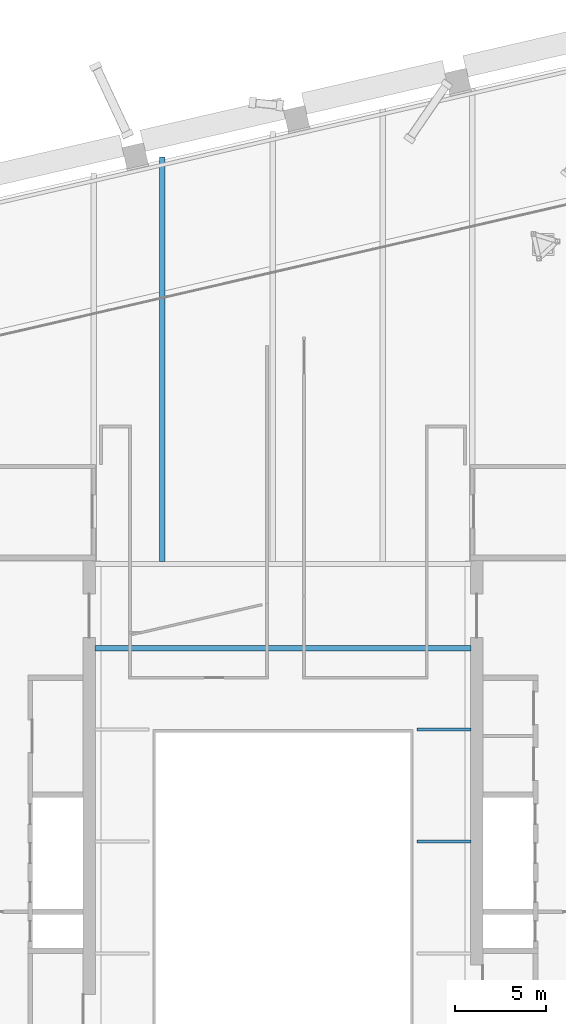
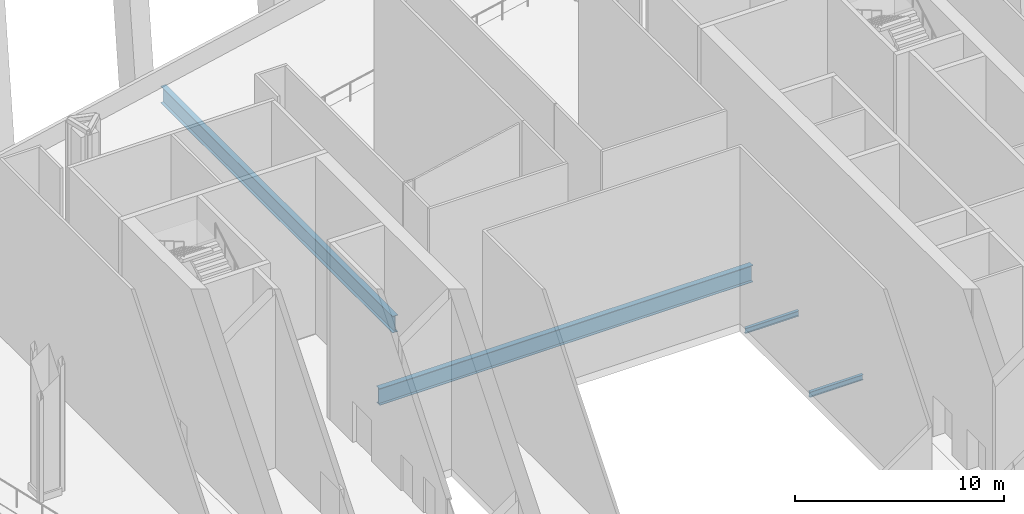
# One storey, part 8 of 25: 4 beams.
"""IFC4 building model written with IfcOpenShell, lengths in metres."""

from ifc_helpers import new_model, si_unit, direction, frame, origin, origin_2d, place, context, subcontext, project, spatial, i_section, extrude, material, material_profile, profile_set, type_object, element, save


model = new_model("IFC4")

# Units and contexts
model_context = context("Model", 3, precision=1e-05, world=origin(), true_north=direction((0.0, 1.0)))
body_context = subcontext(model_context, "Body", "Model", "MODEL_VIEW")
ifc_project = project(units=[si_unit("LENGTHUNIT", "METRE"), si_unit("AREAUNIT", "SQUARE_METRE"), si_unit("VOLUMEUNIT", "CUBIC_METRE"), si_unit("PLANEANGLEUNIT", "RADIAN"), si_unit("MASSUNIT", "GRAM", prefix="KILO")], contexts=[model_context])

# Site, building, storey
site_placement = place(None, origin())
site = spatial("IfcSite", under=ifc_project, at=site_placement, CompositionType="ELEMENT")
building_placement = place(site_placement, origin())
building = spatial("IfcBuilding", under=site, at=building_placement, Name="Ogive Exchange Tower", CompositionType="ELEMENT")
storey_placement = place(building_placement, frame((0.0, 0.0, 226.199951171875)))
storey = spatial("IfcBuildingStorey", under=building, at=storey_placement, Name="L50", CompositionType="ELEMENT", Elevation=226.199951171875)

# Beams
ifc_material = material(Name="Steel ASTM A992 Gr50", Category="steel")
ifc_material_profile_1 = material_profile(ifc_material, i_section(OverallWidth=0.300048828125, OverallDepth=0.97998046875, WebThickness=0.0166015625, FlangeThickness=0.026123046875, at=origin_2d()), Name="W1000x249")
ifc_profile_set_1 = profile_set([ifc_material_profile_1], Name="Steel ASTM A992 Gr50")
beam_type_1 = type_object("IfcBeamType", Name="Floor beam W1000x249", PredefinedType="JOIST", material=ifc_profile_set_1)
beam_1_placement = place(storey_placement, frame((-10.320068359375, 20.62255859375, -0.93994140625), z_axis=(1.0, 0.0, 0.0), x_axis=(0.0, 1.0, 0.0)))
element("IfcBeam", 1, at=beam_1_placement, inside=storey, type_object=beam_type_1, Name="Floor beam", PredefinedType="JOIST", context=body_context, shape_type="SweptSolid", body=[
    extrude(i_section(OverallWidth=0.300048828125, OverallDepth=0.97998046875, WebThickness=0.0166015625, FlangeThickness=0.026123046875, at=origin_2d()), origin(), (0.0, 0.0, 1.0), 20.64013671875),
])
beam_2_placement = place(storey_placement, frame((-6.619873046875, 25.39501953125, -0.93994140625), z_axis=(0.0, 1.0, 0.0), x_axis=(-1.0, 0.0, 0.0)))
element("IfcBeam", 2, at=beam_2_placement, inside=storey, type_object=beam_type_1, Name="Floor beam", PredefinedType="JOIST", context=body_context, shape_type="SweptSolid", body=[
    extrude(i_section(OverallWidth=0.300048828125, OverallDepth=0.97998046875, WebThickness=0.0166015625, FlangeThickness=0.026123046875, at=origin_2d()), origin(), (0.0, 0.0, 1.0), 22.2041015625),
])
ifc_material_profile_2 = material_profile(ifc_material, i_section(OverallWidth=0.1650390625, OverallDepth=0.31005859375, WebThickness=0.005859375, FlangeThickness=0.009765625, at=origin_2d()), Name="W310x38.7")
ifc_profile_set_2 = profile_set([ifc_material_profile_2], Name="Steel ASTM A992 Gr50")
beam_type_2 = type_object("IfcBeamType", Name="Floor beam W310x38.7", PredefinedType="JOIST", material=ifc_profile_set_2)
beam_3_placement = place(storey_placement, frame((7.3701171875, 10.006591796875, -0.60498046875), z_axis=(1.0, 0.0, 0.0), x_axis=(0.0, 1.0, 0.0)))
element("IfcBeam", 3, at=beam_3_placement, inside=storey, type_object=beam_type_2, Name="Floor beam", PredefinedType="JOIST", context=body_context, shape_type="SweptSolid", body=[
    extrude(i_section(OverallWidth=0.1650390625, OverallDepth=0.31005859375, WebThickness=0.005859375, FlangeThickness=0.009765625, at=origin_2d()), origin(), (0.0, 0.0, 1.0), 2.949951171875),
])
ifc_material_profile_3 = material_profile(ifc_material, i_section(OverallWidth=0.1650390625, OverallDepth=0.31005859375, WebThickness=0.005859375, FlangeThickness=0.009765625, at=origin_2d()), Name="W310x38.7")
ifc_profile_set_3 = profile_set([ifc_material_profile_3], Name="Steel ASTM A992 Gr50")
beam_type_3 = type_object("IfcBeamType", Name="Girder W310x38.7", PredefinedType="BEAM", material=ifc_profile_set_3)
beam_4_placement = place(storey_placement, frame((7.3701171875, 16.155029296875, -0.60498046875), z_axis=(1.0, 0.0, 0.0), x_axis=(0.0, 1.0, 0.0)))
element("IfcBeam", 4, at=beam_4_placement, inside=storey, type_object=beam_type_3, Name="Trimmer girder", PredefinedType="BEAM", context=body_context, shape_type="SweptSolid", body=[
    extrude(i_section(OverallWidth=0.1650390625, OverallDepth=0.31005859375, WebThickness=0.005859375, FlangeThickness=0.009765625, at=origin_2d()), origin(), (0.0, 0.0, 1.0), 2.949951171875),
])

save(model, "model.ifc")
